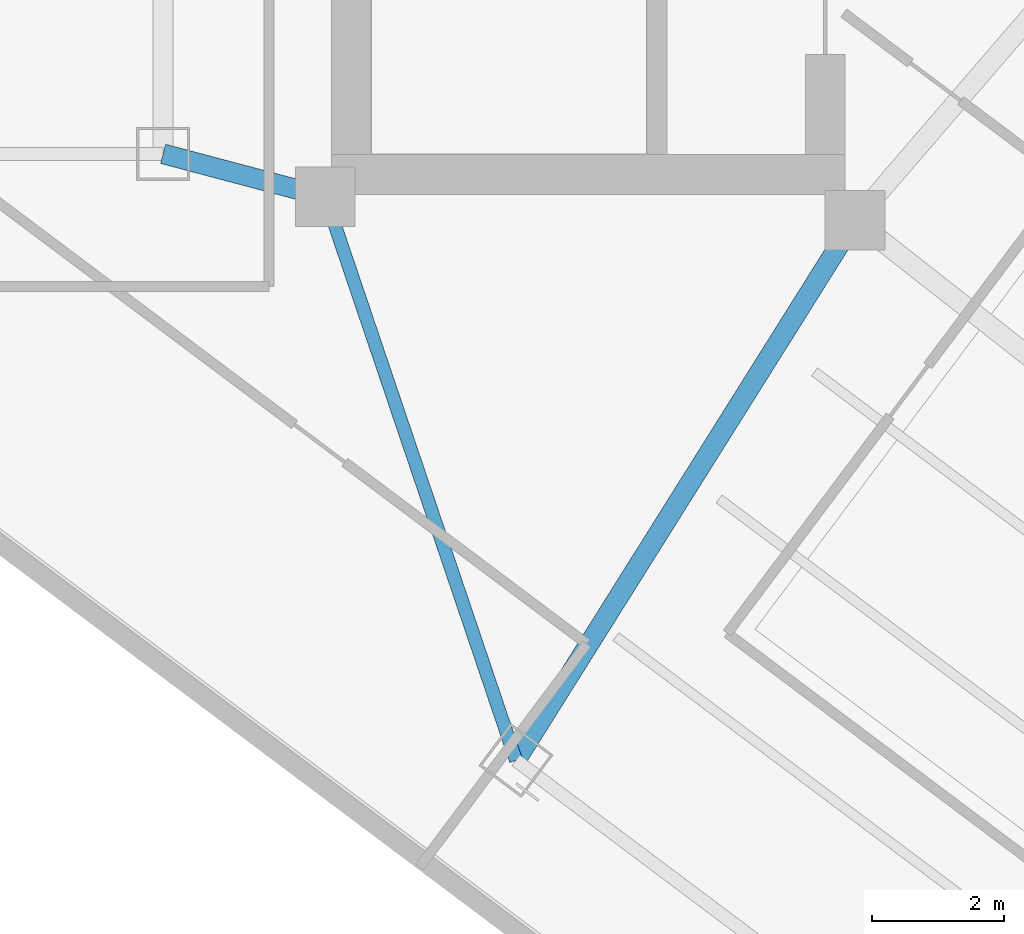
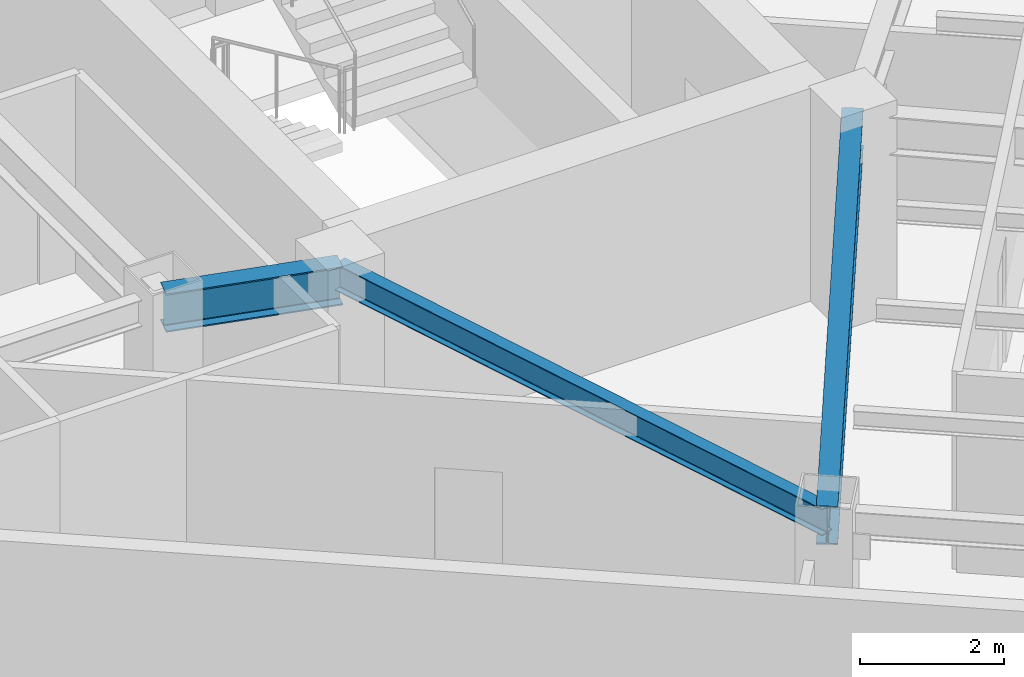
# One storey, part 3 of 27: 3 beams.
"""IFC4 building model written with IfcOpenShell, lengths in metres."""

from ifc_helpers import new_model, si_unit, direction, frame, origin, origin_2d, place, context, subcontext, project, spatial, i_section, extrude, material, material_profile, profile_set, type_object, element, save


model = new_model("IFC4")

# Units and contexts
model_context = context("Model", 3, precision=1e-05, world=origin(), true_north=direction((0.0, 1.0)))
body_context = subcontext(model_context, "Body", "Model", "MODEL_VIEW")
ifc_project = project(units=[si_unit("LENGTHUNIT", "METRE"), si_unit("AREAUNIT", "SQUARE_METRE"), si_unit("VOLUMEUNIT", "CUBIC_METRE"), si_unit("PLANEANGLEUNIT", "RADIAN"), si_unit("MASSUNIT", "GRAM", prefix="KILO")], contexts=[model_context])

# Site, building, storey
site_placement = place(None, origin())
site = spatial("IfcSite", under=ifc_project, at=site_placement, CompositionType="ELEMENT")
building_placement = place(site_placement, origin())
building = spatial("IfcBuilding", under=site, at=building_placement, Name="Hatsunagi Terrace Concourse", CompositionType="ELEMENT")
storey_placement = place(building_placement, frame((0.0, 0.0, 174.449951171875)))
storey = spatial("IfcBuildingStorey", under=building, at=storey_placement, Name="L46", CompositionType="ELEMENT", Elevation=174.449951171875)

# Beams
ifc_material_1 = material(Name="Steel SN490B", Category="steel")
ifc_material_profile_1 = material_profile(ifc_material_1, i_section(OverallWidth=0.300048828125, OverallDepth=0.64990234375, WebThickness=0.012939453125, FlangeThickness=0.02197265625, FilletRadius=0.01806640625, at=origin_2d()), Name="H-650x300x13x22")
ifc_profile_set_1 = profile_set([ifc_material_profile_1], Name="Steel SN490B")
beam_type_1 = type_object("IfcBeamType", Name="OfficeLowGirder_H_650x300", PredefinedType="BEAM", material=ifc_profile_set_1)
beam_1_placement = place(storey_placement, frame((33.35009765625, 25.199951171875, 3.025146484375), z_axis=(0.966569840116, -0.256403479262, 0.0), x_axis=(0.256403479262, 0.966569840116, 0.0)))
element("IfcBeam", 1, at=beam_1_placement, inside=storey, type_object=beam_type_1, Name="Beam G-05 BM-L46-K2CB", PredefinedType="BEAM", context=body_context, shape_type="SweptSolid", body=[
    extrude(i_section(OverallWidth=0.300048828125, OverallDepth=0.64990234375, WebThickness=0.012939453125, FlangeThickness=0.02197265625, FilletRadius=0.01806640625, at=origin_2d()), origin(), (0.0, 0.0, 1.0), 2.53466796875),
])
beam_2_placement = place(storey_placement, frame((38.679931640625, 16.0400390625, 3.025146484375), z_axis=(0.531503907049, 0.847055840421, 0.0), x_axis=(-0.847055840421, 0.531503907049, 0.0)))
element("IfcBeam", 2, at=beam_2_placement, inside=storey, type_object=beam_type_1, Name="Beam G-05 BM-L46-SET-1A", PredefinedType="BEAM", context=body_context, shape_type="SweptSolid", body=[
    extrude(i_section(OverallWidth=0.300048828125, OverallDepth=0.64990234375, WebThickness=0.012939453125, FlangeThickness=0.02197265625, FilletRadius=0.01806640625, at=origin_2d()), origin(), (0.0, 0.0, 1.0), 9.63330078125),
])
ifc_material_2 = material(Name="Steel SN490B", Category="steel")
ifc_material_profile_2 = material_profile(ifc_material_2, i_section(OverallWidth=0.199951171875, OverallDepth=0.449951171875, WebThickness=0.009033203125, FlangeThickness=0.013916015625, FilletRadius=0.01611328125, at=origin_2d()), Name="H-450x200x9x14")
ifc_profile_set_2 = profile_set([ifc_material_profile_2], Name="Steel SN490B")
beam_type_2 = type_object("IfcBeamType", Name="PerimeterSpandrel_H_450x200", PredefinedType="SPANDREL", material=ifc_profile_set_2)
beam_3_placement = place(storey_placement, frame((35.800048828125, 24.550048828125, 3.125), z_axis=(0.320553412271, -0.947230441805, 0.0), x_axis=(0.947230441805, 0.320553412271, 0.0)))
element("IfcBeam", 3, at=beam_3_placement, inside=storey, type_object=beam_type_2, Name="Beam SP-02 BM-L46-SE-SW0", PredefinedType="SPANDREL", context=body_context, shape_type="SweptSolid", body=[
    extrude(i_section(OverallWidth=0.199951171875, OverallDepth=0.449951171875, WebThickness=0.009033203125, FlangeThickness=0.013916015625, FilletRadius=0.01611328125, at=origin_2d()), origin(), (0.0, 0.0, 1.0), 8.984130859375),
])

save(model, "model.ifc")
